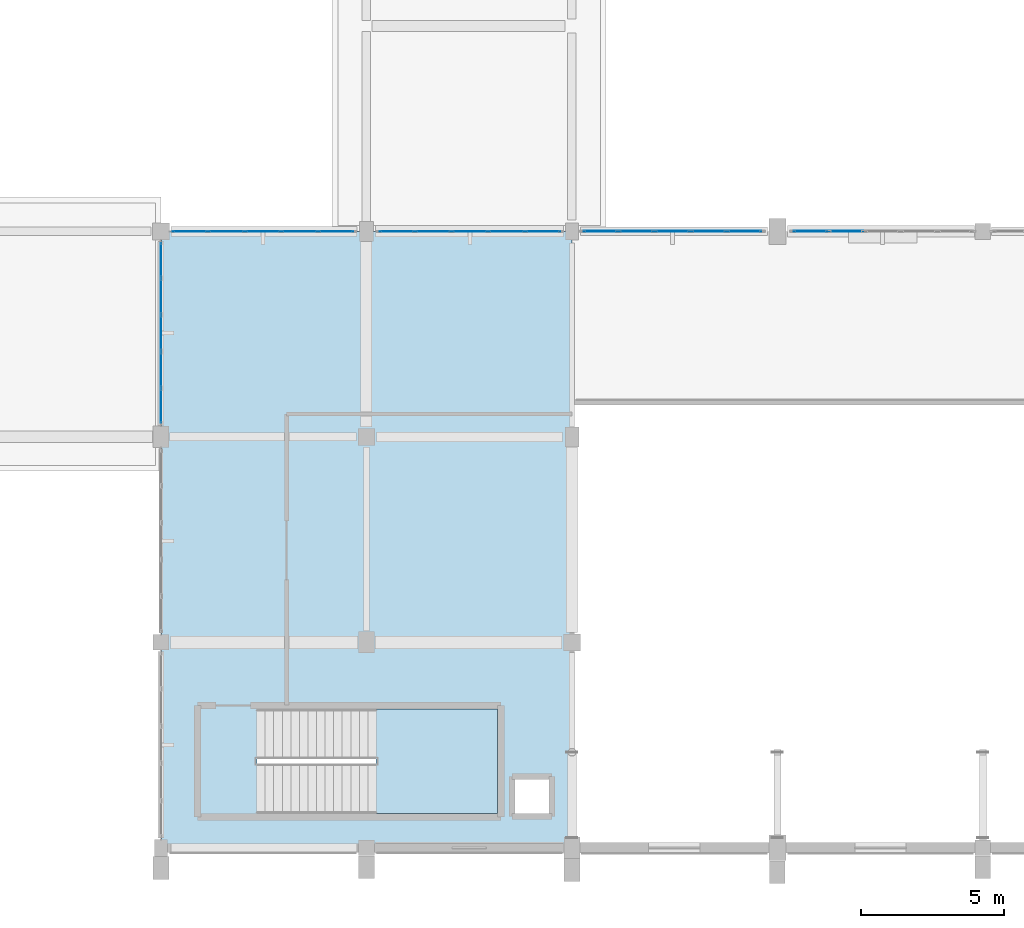
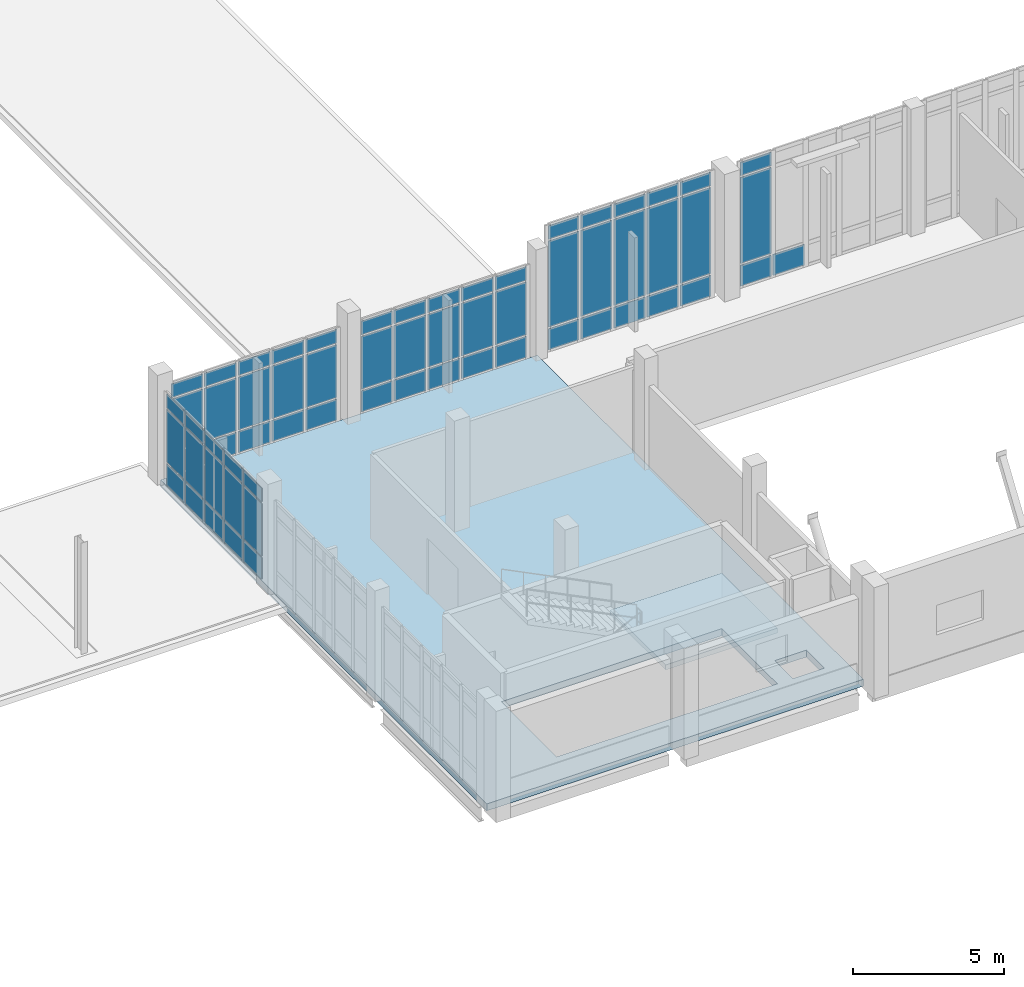
# One storey, part 99 of 134: 64 plates, 2 slabs, 6 elements without a shape of their own.
"""IFC4 building model written with IfcOpenShell, lengths in metres."""

from ifc_helpers import new_model, si_unit, direction, frame, origin, origin_2d, place, context, subcontext, project, spatial, polyline, rectangle, outline, extrude, material, layer, layer_set, type_object, element, aggregate, save


model = new_model("IFC4")

# Units and contexts
model_context = context("Model", 3, precision=1e-05, world=origin(), true_north=direction((0.0, 1.0)))
body_context = subcontext(model_context, "Body", "Model", "MODEL_VIEW")
ifc_project = project(units=[si_unit("LENGTHUNIT", "METRE"), si_unit("AREAUNIT", "SQUARE_METRE"), si_unit("VOLUMEUNIT", "CUBIC_METRE"), si_unit("PLANEANGLEUNIT", "RADIAN"), si_unit("MASSUNIT", "GRAM", prefix="KILO")], contexts=[model_context])

# Site, building, storey
site_placement = place(None, origin())
site = spatial("IfcSite", under=ifc_project, at=site_placement, CompositionType="ELEMENT")
building_placement = place(site_placement, origin())
building = spatial("IfcBuilding", under=site, at=building_placement, Name="Kalluvel Institute of Natural Sciences", CompositionType="ELEMENT")
storey_placement = place(building_placement, frame((0.0, 0.0, 5.39990234375)))
storey = spatial("IfcBuildingStorey", under=building, at=storey_placement, Name="L01", CompositionType="ELEMENT", Elevation=5.39990234375)

# Curtain wall, plates
ifc_material_1 = material(Name="Aluminium AW-6063 T6", Category="aluminium")
curtain_wall_type = type_object("IfcCurtainWallType", Name="CW-SPAV-45", PredefinedType="USERDEFINED", material=ifc_material_1)
curtain_wall_1_placement = place(storey_placement, origin())
curtain_wall_1 = element("IfcCurtainWall", 1, at=curtain_wall_1_placement, inside=storey, type_object=curtain_wall_type, Name="L01 Gothic lancet curtain wall CWA-L01-X1008-Y356", ObjectType="UNITISED LANCET FACADE", PredefinedType="USERDEFINED")
ifc_material_2 = material(Name="Solar-Control Low-E Laminated Glass", Category="glass")
ifc_layer_1 = layer(ifc_material_2, 0.028076171875)
ifc_layer_set_1 = layer_set([ifc_layer_1], Name="Solar-Control Low-E Laminated Glass")
plate_type_1 = type_object("IfcPlateType", Name="CWP-DGU-28", PredefinedType="CURTAIN_PANEL", material=ifc_layer_set_1)
plate_1_placement = place(storey_placement, frame((101.4111328125, 35.60009765625, 0.065185546875), z_axis=(0.0, 0.0, 1.0), x_axis=(1.0, 0.0, 0.0)))
plate_1 = element("IfcPlate", 2, at=plate_1_placement, type_object=plate_type_1, Name="CW-10 panel 1.1", PredefinedType="CURTAIN_PANEL", context=body_context, shape_type="SweptSolid", body=[
    extrude(rectangle(XDim=1.1923828125, YDim=0.028076171875, at=origin_2d()), origin(), (0.0, 0.0, 1.0), 0.8525390625),
])
plate_2_placement = place(storey_placement, frame((101.4111328125, 35.60009765625, 0.982421875), z_axis=(0.0, 0.0, 1.0), x_axis=(1.0, 0.0, 0.0)))
plate_2 = element("IfcPlate", 3, at=plate_2_placement, type_object=plate_type_1, Name="CW-10 panel 1.2", PredefinedType="CURTAIN_PANEL", context=body_context, shape_type="SweptSolid", body=[
    extrude(rectangle(XDim=1.1923828125, YDim=0.028076171875, at=origin_2d()), origin(), (0.0, 0.0, 1.0), 2.135009765625),
])
plate_3_placement = place(storey_placement, frame((101.4111328125, 35.60009765625, 3.1826171875), z_axis=(0.0, 0.0, 1.0), x_axis=(1.0, 0.0, 0.0)))
plate_3 = element("IfcPlate", 4, at=plate_3_placement, type_object=plate_type_1, Name="CW-10 panel 1.3", PredefinedType="CURTAIN_PANEL", context=body_context, shape_type="SweptSolid", body=[
    extrude(rectangle(XDim=1.1923828125, YDim=0.028076171875, at=origin_2d()), origin(), (0.0, 0.0, 1.0), 0.552490234375),
])
plate_4_placement = place(storey_placement, frame((102.68505859375, 35.60009765625, 0.065185546875), z_axis=(0.0, 0.0, 1.0), x_axis=(1.0, 0.0, 0.0)))
plate_4 = element("IfcPlate", 5, at=plate_4_placement, type_object=plate_type_1, Name="CW-10 panel 2.1", PredefinedType="CURTAIN_PANEL", context=body_context, shape_type="SweptSolid", body=[
    extrude(rectangle(XDim=1.22509765625, YDim=0.028076171875, at=origin_2d()), origin(), (0.0, 0.0, 1.0), 0.8525390625),
])
plate_5_placement = place(storey_placement, frame((102.68505859375, 35.60009765625, 0.982421875), z_axis=(0.0, 0.0, 1.0), x_axis=(1.0, 0.0, 0.0)))
plate_5 = element("IfcPlate", 6, at=plate_5_placement, type_object=plate_type_1, Name="CW-10 panel 2.2", PredefinedType="CURTAIN_PANEL", context=body_context, shape_type="SweptSolid", body=[
    extrude(rectangle(XDim=1.22509765625, YDim=0.028076171875, at=origin_2d()), origin(), (0.0, 0.0, 1.0), 2.135009765625),
])
plate_6_placement = place(storey_placement, frame((102.68505859375, 35.60009765625, 3.1826171875), z_axis=(0.0, 0.0, 1.0), x_axis=(1.0, 0.0, 0.0)))
plate_6 = element("IfcPlate", 7, at=plate_6_placement, type_object=plate_type_1, Name="CW-10 panel 2.3", PredefinedType="CURTAIN_PANEL", context=body_context, shape_type="SweptSolid", body=[
    extrude(rectangle(XDim=1.22509765625, YDim=0.028076171875, at=origin_2d()), origin(), (0.0, 0.0, 1.0), 0.552490234375),
])
plate_7_placement = place(storey_placement, frame((103.97509765625, 35.60009765625, 0.065185546875), z_axis=(0.0, 0.0, 1.0), x_axis=(1.0, 0.0, 0.0)))
plate_7 = element("IfcPlate", 8, at=plate_7_placement, type_object=plate_type_1, Name="CW-10 panel 3.1", PredefinedType="CURTAIN_PANEL", context=body_context, shape_type="SweptSolid", body=[
    extrude(rectangle(XDim=1.22509765625, YDim=0.028076171875, at=origin_2d()), origin(), (0.0, 0.0, 1.0), 0.8525390625),
])
plate_8_placement = place(storey_placement, frame((103.97509765625, 35.60009765625, 0.982421875), z_axis=(0.0, 0.0, 1.0), x_axis=(1.0, 0.0, 0.0)))
plate_8 = element("IfcPlate", 9, at=plate_8_placement, type_object=plate_type_1, Name="CW-10 panel 3.2", PredefinedType="CURTAIN_PANEL", context=body_context, shape_type="SweptSolid", body=[
    extrude(rectangle(XDim=1.22509765625, YDim=0.028076171875, at=origin_2d()), origin(), (0.0, 0.0, 1.0), 2.135009765625),
])
plate_9_placement = place(storey_placement, frame((103.97509765625, 35.60009765625, 3.1826171875), z_axis=(0.0, 0.0, 1.0), x_axis=(1.0, 0.0, 0.0)))
plate_9 = element("IfcPlate", 10, at=plate_9_placement, type_object=plate_type_1, Name="CW-10 panel 3.3", PredefinedType="CURTAIN_PANEL", context=body_context, shape_type="SweptSolid", body=[
    extrude(rectangle(XDim=1.22509765625, YDim=0.028076171875, at=origin_2d()), origin(), (0.0, 0.0, 1.0), 0.552490234375),
])
plate_10_placement = place(storey_placement, frame((105.264892578125, 35.60009765625, 0.065185546875), z_axis=(0.0, 0.0, 1.0), x_axis=(1.0, 0.0, 0.0)))
plate_10 = element("IfcPlate", 11, at=plate_10_placement, type_object=plate_type_1, Name="CW-10 panel 4.1", PredefinedType="CURTAIN_PANEL", context=body_context, shape_type="SweptSolid", body=[
    extrude(rectangle(XDim=1.22509765625, YDim=0.028076171875, at=origin_2d()), origin(), (0.0, 0.0, 1.0), 0.8525390625),
])
plate_11_placement = place(storey_placement, frame((105.264892578125, 35.60009765625, 0.982421875), z_axis=(0.0, 0.0, 1.0), x_axis=(1.0, 0.0, 0.0)))
plate_11 = element("IfcPlate", 12, at=plate_11_placement, type_object=plate_type_1, Name="CW-10 panel 4.2", PredefinedType="CURTAIN_PANEL", context=body_context, shape_type="SweptSolid", body=[
    extrude(rectangle(XDim=1.22509765625, YDim=0.028076171875, at=origin_2d()), origin(), (0.0, 0.0, 1.0), 2.135009765625),
])
plate_12_placement = place(storey_placement, frame((105.264892578125, 35.60009765625, 3.1826171875), z_axis=(0.0, 0.0, 1.0), x_axis=(1.0, 0.0, 0.0)))
plate_12 = element("IfcPlate", 13, at=plate_12_placement, type_object=plate_type_1, Name="CW-10 panel 4.3", PredefinedType="CURTAIN_PANEL", context=body_context, shape_type="SweptSolid", body=[
    extrude(rectangle(XDim=1.22509765625, YDim=0.028076171875, at=origin_2d()), origin(), (0.0, 0.0, 1.0), 0.552490234375),
])
plate_13_placement = place(storey_placement, frame((106.538818359375, 35.60009765625, 0.065185546875), z_axis=(0.0, 0.0, 1.0), x_axis=(1.0, 0.0, 0.0)))
plate_13 = element("IfcPlate", 14, at=plate_13_placement, type_object=plate_type_1, Name="CW-10 panel 5.1", PredefinedType="CURTAIN_PANEL", context=body_context, shape_type="SweptSolid", body=[
    extrude(rectangle(XDim=1.1923828125, YDim=0.028076171875, at=origin_2d()), origin(), (0.0, 0.0, 1.0), 0.8525390625),
])
plate_14_placement = place(storey_placement, frame((106.538818359375, 35.60009765625, 0.982421875), z_axis=(0.0, 0.0, 1.0), x_axis=(1.0, 0.0, 0.0)))
plate_14 = element("IfcPlate", 15, at=plate_14_placement, type_object=plate_type_1, Name="CW-10 panel 5.2", PredefinedType="CURTAIN_PANEL", context=body_context, shape_type="SweptSolid", body=[
    extrude(rectangle(XDim=1.1923828125, YDim=0.028076171875, at=origin_2d()), origin(), (0.0, 0.0, 1.0), 2.135009765625),
])
plate_15_placement = place(storey_placement, frame((106.538818359375, 35.60009765625, 3.1826171875), z_axis=(0.0, 0.0, 1.0), x_axis=(1.0, 0.0, 0.0)))
plate_15 = element("IfcPlate", 16, at=plate_15_placement, type_object=plate_type_1, Name="CW-10 panel 5.3", PredefinedType="CURTAIN_PANEL", context=body_context, shape_type="SweptSolid", body=[
    extrude(rectangle(XDim=1.1923828125, YDim=0.028076171875, at=origin_2d()), origin(), (0.0, 0.0, 1.0), 0.552490234375),
])
aggregate(curtain_wall_1, [plate_1, plate_2, plate_3, plate_4, plate_5, plate_6, plate_7, plate_8, plate_9, plate_10, plate_11, plate_12, plate_13, plate_14, plate_15])

curtain_wall_2_placement = place(storey_placement, origin())
curtain_wall_2 = element("IfcCurtainWall", 17, at=curtain_wall_2_placement, inside=storey, type_object=curtain_wall_type, Name="L01 Gothic lancet curtain wall CWA-L01-X1080-Y356", ObjectType="UNITISED LANCET FACADE", PredefinedType="USERDEFINED")
plate_16_placement = place(storey_placement, frame((108.6611328125, 35.60009765625, 0.065185546875), z_axis=(0.0, 0.0, 1.0), x_axis=(1.0, 0.0, 0.0)))
plate_16 = element("IfcPlate", 18, at=plate_16_placement, type_object=plate_type_1, Name="CW-10 panel 1.1", PredefinedType="CURTAIN_PANEL", context=body_context, shape_type="SweptSolid", body=[
    extrude(rectangle(XDim=1.1923828125, YDim=0.028076171875, at=origin_2d()), origin(), (0.0, 0.0, 1.0), 0.8525390625),
])
plate_17_placement = place(storey_placement, frame((108.6611328125, 35.60009765625, 0.982421875), z_axis=(0.0, 0.0, 1.0), x_axis=(1.0, 0.0, 0.0)))
plate_17 = element("IfcPlate", 19, at=plate_17_placement, type_object=plate_type_1, Name="CW-10 panel 1.2", PredefinedType="CURTAIN_PANEL", context=body_context, shape_type="SweptSolid", body=[
    extrude(rectangle(XDim=1.1923828125, YDim=0.028076171875, at=origin_2d()), origin(), (0.0, 0.0, 1.0), 2.135009765625),
])
plate_18_placement = place(storey_placement, frame((108.6611328125, 35.60009765625, 3.1826171875), z_axis=(0.0, 0.0, 1.0), x_axis=(1.0, 0.0, 0.0)))
plate_18 = element("IfcPlate", 20, at=plate_18_placement, type_object=plate_type_1, Name="CW-10 panel 1.3", PredefinedType="CURTAIN_PANEL", context=body_context, shape_type="SweptSolid", body=[
    extrude(rectangle(XDim=1.1923828125, YDim=0.028076171875, at=origin_2d()), origin(), (0.0, 0.0, 1.0), 0.552490234375),
])
plate_19_placement = place(storey_placement, frame((109.93505859375, 35.60009765625, 0.065185546875), z_axis=(0.0, 0.0, 1.0), x_axis=(1.0, 0.0, 0.0)))
plate_19 = element("IfcPlate", 21, at=plate_19_placement, type_object=plate_type_1, Name="CW-10 panel 2.1", PredefinedType="CURTAIN_PANEL", context=body_context, shape_type="SweptSolid", body=[
    extrude(rectangle(XDim=1.22509765625, YDim=0.028076171875, at=origin_2d()), origin(), (0.0, 0.0, 1.0), 0.8525390625),
])
plate_20_placement = place(storey_placement, frame((109.93505859375, 35.60009765625, 0.982421875), z_axis=(0.0, 0.0, 1.0), x_axis=(1.0, 0.0, 0.0)))
plate_20 = element("IfcPlate", 22, at=plate_20_placement, type_object=plate_type_1, Name="CW-10 panel 2.2", PredefinedType="CURTAIN_PANEL", context=body_context, shape_type="SweptSolid", body=[
    extrude(rectangle(XDim=1.22509765625, YDim=0.028076171875, at=origin_2d()), origin(), (0.0, 0.0, 1.0), 2.135009765625),
])
plate_21_placement = place(storey_placement, frame((109.93505859375, 35.60009765625, 3.1826171875), z_axis=(0.0, 0.0, 1.0), x_axis=(1.0, 0.0, 0.0)))
plate_21 = element("IfcPlate", 23, at=plate_21_placement, type_object=plate_type_1, Name="CW-10 panel 2.3", PredefinedType="CURTAIN_PANEL", context=body_context, shape_type="SweptSolid", body=[
    extrude(rectangle(XDim=1.22509765625, YDim=0.028076171875, at=origin_2d()), origin(), (0.0, 0.0, 1.0), 0.552490234375),
])
plate_22_placement = place(storey_placement, frame((111.22509765625, 35.60009765625, 0.065185546875), z_axis=(0.0, 0.0, 1.0), x_axis=(1.0, 0.0, 0.0)))
plate_22 = element("IfcPlate", 24, at=plate_22_placement, type_object=plate_type_1, Name="CW-10 panel 3.1", PredefinedType="CURTAIN_PANEL", context=body_context, shape_type="SweptSolid", body=[
    extrude(rectangle(XDim=1.22509765625, YDim=0.028076171875, at=origin_2d()), origin(), (0.0, 0.0, 1.0), 0.8525390625),
])
plate_23_placement = place(storey_placement, frame((111.22509765625, 35.60009765625, 0.982421875), z_axis=(0.0, 0.0, 1.0), x_axis=(1.0, 0.0, 0.0)))
plate_23 = element("IfcPlate", 25, at=plate_23_placement, type_object=plate_type_1, Name="CW-10 panel 3.2", PredefinedType="CURTAIN_PANEL", context=body_context, shape_type="SweptSolid", body=[
    extrude(rectangle(XDim=1.22509765625, YDim=0.028076171875, at=origin_2d()), origin(), (0.0, 0.0, 1.0), 2.135009765625),
])
plate_24_placement = place(storey_placement, frame((111.22509765625, 35.60009765625, 3.1826171875), z_axis=(0.0, 0.0, 1.0), x_axis=(1.0, 0.0, 0.0)))
plate_24 = element("IfcPlate", 26, at=plate_24_placement, type_object=plate_type_1, Name="CW-10 panel 3.3", PredefinedType="CURTAIN_PANEL", context=body_context, shape_type="SweptSolid", body=[
    extrude(rectangle(XDim=1.22509765625, YDim=0.028076171875, at=origin_2d()), origin(), (0.0, 0.0, 1.0), 0.552490234375),
])
plate_25_placement = place(storey_placement, frame((112.514892578125, 35.60009765625, 0.065185546875), z_axis=(0.0, 0.0, 1.0), x_axis=(1.0, 0.0, 0.0)))
plate_25 = element("IfcPlate", 27, at=plate_25_placement, type_object=plate_type_1, Name="CW-10 panel 4.1", PredefinedType="CURTAIN_PANEL", context=body_context, shape_type="SweptSolid", body=[
    extrude(rectangle(XDim=1.22509765625, YDim=0.028076171875, at=origin_2d()), origin(), (0.0, 0.0, 1.0), 0.8525390625),
])
plate_26_placement = place(storey_placement, frame((112.514892578125, 35.60009765625, 0.982421875), z_axis=(0.0, 0.0, 1.0), x_axis=(1.0, 0.0, 0.0)))
plate_26 = element("IfcPlate", 28, at=plate_26_placement, type_object=plate_type_1, Name="CW-10 panel 4.2", PredefinedType="CURTAIN_PANEL", context=body_context, shape_type="SweptSolid", body=[
    extrude(rectangle(XDim=1.22509765625, YDim=0.028076171875, at=origin_2d()), origin(), (0.0, 0.0, 1.0), 2.135009765625),
])
plate_27_placement = place(storey_placement, frame((112.514892578125, 35.60009765625, 3.1826171875), z_axis=(0.0, 0.0, 1.0), x_axis=(1.0, 0.0, 0.0)))
plate_27 = element("IfcPlate", 29, at=plate_27_placement, type_object=plate_type_1, Name="CW-10 panel 4.3", PredefinedType="CURTAIN_PANEL", context=body_context, shape_type="SweptSolid", body=[
    extrude(rectangle(XDim=1.22509765625, YDim=0.028076171875, at=origin_2d()), origin(), (0.0, 0.0, 1.0), 0.552490234375),
])
plate_28_placement = place(storey_placement, frame((113.788818359375, 35.60009765625, 0.065185546875), z_axis=(0.0, 0.0, 1.0), x_axis=(1.0, 0.0, 0.0)))
plate_28 = element("IfcPlate", 30, at=plate_28_placement, type_object=plate_type_1, Name="CW-10 panel 5.1", PredefinedType="CURTAIN_PANEL", context=body_context, shape_type="SweptSolid", body=[
    extrude(rectangle(XDim=1.1923828125, YDim=0.028076171875, at=origin_2d()), origin(), (0.0, 0.0, 1.0), 0.8525390625),
])
plate_29_placement = place(storey_placement, frame((113.788818359375, 35.60009765625, 0.982421875), z_axis=(0.0, 0.0, 1.0), x_axis=(1.0, 0.0, 0.0)))
plate_29 = element("IfcPlate", 31, at=plate_29_placement, type_object=plate_type_1, Name="CW-10 panel 5.2", PredefinedType="CURTAIN_PANEL", context=body_context, shape_type="SweptSolid", body=[
    extrude(rectangle(XDim=1.1923828125, YDim=0.028076171875, at=origin_2d()), origin(), (0.0, 0.0, 1.0), 2.135009765625),
])
plate_30_placement = place(storey_placement, frame((113.788818359375, 35.60009765625, 3.1826171875), z_axis=(0.0, 0.0, 1.0), x_axis=(1.0, 0.0, 0.0)))
plate_30 = element("IfcPlate", 32, at=plate_30_placement, type_object=plate_type_1, Name="CW-10 panel 5.3", PredefinedType="CURTAIN_PANEL", context=body_context, shape_type="SweptSolid", body=[
    extrude(rectangle(XDim=1.1923828125, YDim=0.028076171875, at=origin_2d()), origin(), (0.0, 0.0, 1.0), 0.552490234375),
])
aggregate(curtain_wall_2, [plate_16, plate_17, plate_18, plate_19, plate_20, plate_21, plate_22, plate_23, plate_24, plate_25, plate_26, plate_27, plate_28, plate_29, plate_30])

curtain_wall_3_placement = place(storey_placement, origin())
curtain_wall_3 = element("IfcCurtainWall", 33, at=curtain_wall_3_placement, inside=storey, type_object=curtain_wall_type, Name="L01 Gothic lancet curtain wall CWA-L01-X1004-Y288", ObjectType="UNITISED LANCET FACADE", PredefinedType="USERDEFINED")
plate_31_placement = place(storey_placement, frame((100.39990234375, 29.483642578125, 0.065185546875), z_axis=(0.0, 0.0, 1.0), x_axis=(0.0, 1.0, 0.0)))
plate_31 = element("IfcPlate", 34, at=plate_31_placement, type_object=plate_type_1, Name="CW-10 panel 1.1", PredefinedType="CURTAIN_PANEL", context=body_context, shape_type="SweptSolid", body=[
    extrude(rectangle(XDim=1.1875, YDim=0.028076171875, at=origin_2d()), origin(), (0.0, 0.0, 1.0), 0.8525390625),
])
plate_32_placement = place(storey_placement, frame((100.39990234375, 29.483642578125, 0.982421875), z_axis=(0.0, 0.0, 1.0), x_axis=(0.0, 1.0, 0.0)))
plate_32 = element("IfcPlate", 35, at=plate_32_placement, type_object=plate_type_1, Name="CW-10 panel 1.2", PredefinedType="CURTAIN_PANEL", context=body_context, shape_type="SweptSolid", body=[
    extrude(rectangle(XDim=1.1875, YDim=0.028076171875, at=origin_2d()), origin(), (0.0, 0.0, 1.0), 2.135009765625),
])
plate_33_placement = place(storey_placement, frame((100.39990234375, 29.483642578125, 3.1826171875), z_axis=(0.0, 0.0, 1.0), x_axis=(0.0, 1.0, 0.0)))
plate_33 = element("IfcPlate", 36, at=plate_33_placement, type_object=plate_type_1, Name="CW-10 panel 1.3", PredefinedType="CURTAIN_PANEL", context=body_context, shape_type="SweptSolid", body=[
    extrude(rectangle(XDim=1.1875, YDim=0.028076171875, at=origin_2d()), origin(), (0.0, 0.0, 1.0), 0.552490234375),
])
plate_34_placement = place(storey_placement, frame((100.39990234375, 30.75244140625, 0.065185546875), z_axis=(0.0, 0.0, 1.0), x_axis=(0.0, 1.0, 0.0)))
plate_34 = element("IfcPlate", 37, at=plate_34_placement, type_object=plate_type_1, Name="CW-10 panel 2.1", PredefinedType="CURTAIN_PANEL", context=body_context, shape_type="SweptSolid", body=[
    extrude(rectangle(XDim=1.219970703125, YDim=0.028076171875, at=origin_2d()), origin(), (0.0, 0.0, 1.0), 0.8525390625),
])
plate_35_placement = place(storey_placement, frame((100.39990234375, 30.75244140625, 0.982421875), z_axis=(0.0, 0.0, 1.0), x_axis=(0.0, 1.0, 0.0)))
plate_35 = element("IfcPlate", 38, at=plate_35_placement, type_object=plate_type_1, Name="CW-10 panel 2.2", PredefinedType="CURTAIN_PANEL", context=body_context, shape_type="SweptSolid", body=[
    extrude(rectangle(XDim=1.219970703125, YDim=0.028076171875, at=origin_2d()), origin(), (0.0, 0.0, 1.0), 2.135009765625),
])
plate_36_placement = place(storey_placement, frame((100.39990234375, 30.75244140625, 3.1826171875), z_axis=(0.0, 0.0, 1.0), x_axis=(0.0, 1.0, 0.0)))
plate_36 = element("IfcPlate", 39, at=plate_36_placement, type_object=plate_type_1, Name="CW-10 panel 2.3", PredefinedType="CURTAIN_PANEL", context=body_context, shape_type="SweptSolid", body=[
    extrude(rectangle(XDim=1.219970703125, YDim=0.028076171875, at=origin_2d()), origin(), (0.0, 0.0, 1.0), 0.552490234375),
])
plate_37_placement = place(storey_placement, frame((100.39990234375, 32.03759765625, 0.065185546875), z_axis=(0.0, 0.0, 1.0), x_axis=(0.0, 1.0, 0.0)))
plate_37 = element("IfcPlate", 40, at=plate_37_placement, type_object=plate_type_1, Name="CW-10 panel 3.1", PredefinedType="CURTAIN_PANEL", context=body_context, shape_type="SweptSolid", body=[
    extrude(rectangle(XDim=1.219970703125, YDim=0.028076171875, at=origin_2d()), origin(), (0.0, 0.0, 1.0), 0.8525390625),
])
plate_38_placement = place(storey_placement, frame((100.39990234375, 32.03759765625, 0.982421875), z_axis=(0.0, 0.0, 1.0), x_axis=(0.0, 1.0, 0.0)))
plate_38 = element("IfcPlate", 41, at=plate_38_placement, type_object=plate_type_1, Name="CW-10 panel 3.2", PredefinedType="CURTAIN_PANEL", context=body_context, shape_type="SweptSolid", body=[
    extrude(rectangle(XDim=1.219970703125, YDim=0.028076171875, at=origin_2d()), origin(), (0.0, 0.0, 1.0), 2.135009765625),
])
plate_39_placement = place(storey_placement, frame((100.39990234375, 32.03759765625, 3.1826171875), z_axis=(0.0, 0.0, 1.0), x_axis=(0.0, 1.0, 0.0)))
plate_39 = element("IfcPlate", 42, at=plate_39_placement, type_object=plate_type_1, Name="CW-10 panel 3.3", PredefinedType="CURTAIN_PANEL", context=body_context, shape_type="SweptSolid", body=[
    extrude(rectangle(XDim=1.219970703125, YDim=0.028076171875, at=origin_2d()), origin(), (0.0, 0.0, 1.0), 0.552490234375),
])
plate_40_placement = place(storey_placement, frame((100.39990234375, 33.322509765625, 0.065185546875), z_axis=(0.0, 0.0, 1.0), x_axis=(0.0, 1.0, 0.0)))
plate_40 = element("IfcPlate", 43, at=plate_40_placement, type_object=plate_type_1, Name="CW-10 panel 4.1", PredefinedType="CURTAIN_PANEL", context=body_context, shape_type="SweptSolid", body=[
    extrude(rectangle(XDim=1.219970703125, YDim=0.028076171875, at=origin_2d()), origin(), (0.0, 0.0, 1.0), 0.8525390625),
])
plate_41_placement = place(storey_placement, frame((100.39990234375, 33.322509765625, 0.982421875), z_axis=(0.0, 0.0, 1.0), x_axis=(0.0, 1.0, 0.0)))
plate_41 = element("IfcPlate", 44, at=plate_41_placement, type_object=plate_type_1, Name="CW-10 panel 4.2", PredefinedType="CURTAIN_PANEL", context=body_context, shape_type="SweptSolid", body=[
    extrude(rectangle(XDim=1.219970703125, YDim=0.028076171875, at=origin_2d()), origin(), (0.0, 0.0, 1.0), 2.135009765625),
])
plate_42_placement = place(storey_placement, frame((100.39990234375, 33.322509765625, 3.1826171875), z_axis=(0.0, 0.0, 1.0), x_axis=(0.0, 1.0, 0.0)))
plate_42 = element("IfcPlate", 45, at=plate_42_placement, type_object=plate_type_1, Name="CW-10 panel 4.3", PredefinedType="CURTAIN_PANEL", context=body_context, shape_type="SweptSolid", body=[
    extrude(rectangle(XDim=1.219970703125, YDim=0.028076171875, at=origin_2d()), origin(), (0.0, 0.0, 1.0), 0.552490234375),
])
plate_43_placement = place(storey_placement, frame((100.39990234375, 34.59130859375, 0.065185546875), z_axis=(0.0, 0.0, 1.0), x_axis=(0.0, 1.0, 0.0)))
plate_43 = element("IfcPlate", 46, at=plate_43_placement, type_object=plate_type_1, Name="CW-10 panel 5.1", PredefinedType="CURTAIN_PANEL", context=body_context, shape_type="SweptSolid", body=[
    extrude(rectangle(XDim=1.1875, YDim=0.028076171875, at=origin_2d()), origin(), (0.0, 0.0, 1.0), 0.8525390625),
])
plate_44_placement = place(storey_placement, frame((100.39990234375, 34.59130859375, 0.982421875), z_axis=(0.0, 0.0, 1.0), x_axis=(0.0, 1.0, 0.0)))
plate_44 = element("IfcPlate", 47, at=plate_44_placement, type_object=plate_type_1, Name="CW-10 panel 5.2", PredefinedType="CURTAIN_PANEL", context=body_context, shape_type="SweptSolid", body=[
    extrude(rectangle(XDim=1.1875, YDim=0.028076171875, at=origin_2d()), origin(), (0.0, 0.0, 1.0), 2.135009765625),
])
plate_45_placement = place(storey_placement, frame((100.39990234375, 34.59130859375, 3.1826171875), z_axis=(0.0, 0.0, 1.0), x_axis=(0.0, 1.0, 0.0)))
plate_45 = element("IfcPlate", 48, at=plate_45_placement, type_object=plate_type_1, Name="CW-10 panel 5.3", PredefinedType="CURTAIN_PANEL", context=body_context, shape_type="SweptSolid", body=[
    extrude(rectangle(XDim=1.1875, YDim=0.028076171875, at=origin_2d()), origin(), (0.0, 0.0, 1.0), 0.552490234375),
])
aggregate(curtain_wall_3, [plate_31, plate_32, plate_33, plate_34, plate_35, plate_36, plate_37, plate_38, plate_39, plate_40, plate_41, plate_42, plate_43, plate_44, plate_45])

curtain_wall_4_placement = place(storey_placement, origin())
curtain_wall_4 = element("IfcCurtainWall", 49, at=curtain_wall_4_placement, inside=storey, type_object=curtain_wall_type, Name="L01 Gothic lancet curtain wall CWA-L01-X1152-Y356", ObjectType="UNITISED LANCET FACADE", PredefinedType="USERDEFINED")
ifc_layer_2 = layer(ifc_material_2, 0.031982421875)
ifc_layer_set_2 = layer_set([ifc_layer_2], Name="Solar-Control Low-E Laminated Glass")
plate_type_2 = type_object("IfcPlateType", Name="CWP-DGU-32", PredefinedType="CURTAIN_PANEL", material=ifc_layer_set_2)
plate_46_placement = place(storey_placement, frame((115.802490234375, 35.60009765625, 0.0703125), z_axis=(0.0, 0.0, 1.0), x_axis=(1.0, 0.0, 0.0)))
plate_46 = element("IfcPlate", 50, at=plate_46_placement, type_object=plate_type_2, Name="CW-10 panel 1.1", PredefinedType="CURTAIN_PANEL", context=body_context, shape_type="SweptSolid", body=[
    extrude(rectangle(XDim=1.1650390625, YDim=0.031982421875, at=origin_2d()), origin(), (0.0, 0.0, 1.0), 0.844970703125),
])
plate_47_placement = place(storey_placement, frame((115.802490234375, 35.60009765625, 0.985107421875), z_axis=(0.0, 0.0, 1.0), x_axis=(1.0, 0.0, 0.0)))
plate_47 = element("IfcPlate", 51, at=plate_47_placement, type_object=plate_type_2, Name="CW-10 panel 1.2", PredefinedType="CURTAIN_PANEL", context=body_context, shape_type="SweptSolid", body=[
    extrude(rectangle(XDim=1.1650390625, YDim=0.031982421875, at=origin_2d()), origin(), (0.0, 0.0, 1.0), 3.47998046875),
])
plate_48_placement = place(storey_placement, frame((115.802490234375, 35.60009765625, 4.53515625), z_axis=(0.0, 0.0, 1.0), x_axis=(1.0, 0.0, 0.0)))
plate_48 = element("IfcPlate", 52, at=plate_48_placement, type_object=plate_type_2, Name="CW-10 panel 1.3", PredefinedType="CURTAIN_PANEL", context=body_context, shape_type="SweptSolid", body=[
    extrude(rectangle(XDim=1.1650390625, YDim=0.031982421875, at=origin_2d()), origin(), (0.0, 0.0, 1.0), 0.544921875),
])
plate_49_placement = place(storey_placement, frame((117.054931640625, 35.60009765625, 0.0703125), z_axis=(0.0, 0.0, 1.0), x_axis=(1.0, 0.0, 0.0)))
plate_49 = element("IfcPlate", 53, at=plate_49_placement, type_object=plate_type_2, Name="CW-10 panel 2.1", PredefinedType="CURTAIN_PANEL", context=body_context, shape_type="SweptSolid", body=[
    extrude(rectangle(XDim=1.199951171875, YDim=0.031982421875, at=origin_2d()), origin(), (0.0, 0.0, 1.0), 0.844970703125),
])
plate_50_placement = place(storey_placement, frame((117.054931640625, 35.60009765625, 0.985107421875), z_axis=(0.0, 0.0, 1.0), x_axis=(1.0, 0.0, 0.0)))
plate_50 = element("IfcPlate", 54, at=plate_50_placement, type_object=plate_type_2, Name="CW-10 panel 2.2", PredefinedType="CURTAIN_PANEL", context=body_context, shape_type="SweptSolid", body=[
    extrude(rectangle(XDim=1.199951171875, YDim=0.031982421875, at=origin_2d()), origin(), (0.0, 0.0, 1.0), 3.47998046875),
])
plate_51_placement = place(storey_placement, frame((117.054931640625, 35.60009765625, 4.53515625), z_axis=(0.0, 0.0, 1.0), x_axis=(1.0, 0.0, 0.0)))
plate_51 = element("IfcPlate", 55, at=plate_51_placement, type_object=plate_type_2, Name="CW-10 panel 2.3", PredefinedType="CURTAIN_PANEL", context=body_context, shape_type="SweptSolid", body=[
    extrude(rectangle(XDim=1.199951171875, YDim=0.031982421875, at=origin_2d()), origin(), (0.0, 0.0, 1.0), 0.544921875),
])
plate_52_placement = place(storey_placement, frame((118.324951171875, 35.60009765625, 0.0703125), z_axis=(0.0, 0.0, 1.0), x_axis=(1.0, 0.0, 0.0)))
plate_52 = element("IfcPlate", 56, at=plate_52_placement, type_object=plate_type_2, Name="CW-10 panel 3.1", PredefinedType="CURTAIN_PANEL", context=body_context, shape_type="SweptSolid", body=[
    extrude(rectangle(XDim=1.199951171875, YDim=0.031982421875, at=origin_2d()), origin(), (0.0, 0.0, 1.0), 0.844970703125),
])
plate_53_placement = place(storey_placement, frame((118.324951171875, 35.60009765625, 0.985107421875), z_axis=(0.0, 0.0, 1.0), x_axis=(1.0, 0.0, 0.0)))
plate_53 = element("IfcPlate", 57, at=plate_53_placement, type_object=plate_type_2, Name="CW-10 panel 3.2", PredefinedType="CURTAIN_PANEL", context=body_context, shape_type="SweptSolid", body=[
    extrude(rectangle(XDim=1.199951171875, YDim=0.031982421875, at=origin_2d()), origin(), (0.0, 0.0, 1.0), 3.47998046875),
])
plate_54_placement = place(storey_placement, frame((118.324951171875, 35.60009765625, 4.53515625), z_axis=(0.0, 0.0, 1.0), x_axis=(1.0, 0.0, 0.0)))
plate_54 = element("IfcPlate", 58, at=plate_54_placement, type_object=plate_type_2, Name="CW-10 panel 3.3", PredefinedType="CURTAIN_PANEL", context=body_context, shape_type="SweptSolid", body=[
    extrude(rectangle(XDim=1.199951171875, YDim=0.031982421875, at=origin_2d()), origin(), (0.0, 0.0, 1.0), 0.544921875),
])
plate_55_placement = place(storey_placement, frame((119.594970703125, 35.60009765625, 0.0703125), z_axis=(0.0, 0.0, 1.0), x_axis=(1.0, 0.0, 0.0)))
plate_55 = element("IfcPlate", 59, at=plate_55_placement, type_object=plate_type_2, Name="CW-10 panel 4.1", PredefinedType="CURTAIN_PANEL", context=body_context, shape_type="SweptSolid", body=[
    extrude(rectangle(XDim=1.199951171875, YDim=0.031982421875, at=origin_2d()), origin(), (0.0, 0.0, 1.0), 0.844970703125),
])
plate_56_placement = place(storey_placement, frame((119.594970703125, 35.60009765625, 0.985107421875), z_axis=(0.0, 0.0, 1.0), x_axis=(1.0, 0.0, 0.0)))
plate_56 = element("IfcPlate", 60, at=plate_56_placement, type_object=plate_type_2, Name="CW-10 panel 4.2", PredefinedType="CURTAIN_PANEL", context=body_context, shape_type="SweptSolid", body=[
    extrude(rectangle(XDim=1.199951171875, YDim=0.031982421875, at=origin_2d()), origin(), (0.0, 0.0, 1.0), 3.47998046875),
])
plate_57_placement = place(storey_placement, frame((119.594970703125, 35.60009765625, 4.53515625), z_axis=(0.0, 0.0, 1.0), x_axis=(1.0, 0.0, 0.0)))
plate_57 = element("IfcPlate", 61, at=plate_57_placement, type_object=plate_type_2, Name="CW-10 panel 4.3", PredefinedType="CURTAIN_PANEL", context=body_context, shape_type="SweptSolid", body=[
    extrude(rectangle(XDim=1.199951171875, YDim=0.031982421875, at=origin_2d()), origin(), (0.0, 0.0, 1.0), 0.544921875),
])
plate_58_placement = place(storey_placement, frame((120.847412109375, 35.60009765625, 0.0703125), z_axis=(0.0, 0.0, 1.0), x_axis=(1.0, 0.0, 0.0)))
plate_58 = element("IfcPlate", 62, at=plate_58_placement, type_object=plate_type_2, Name="CW-10 panel 5.1", PredefinedType="CURTAIN_PANEL", context=body_context, shape_type="SweptSolid", body=[
    extrude(rectangle(XDim=1.1650390625, YDim=0.031982421875, at=origin_2d()), origin(), (0.0, 0.0, 1.0), 0.844970703125),
])
plate_59_placement = place(storey_placement, frame((120.847412109375, 35.60009765625, 0.985107421875), z_axis=(0.0, 0.0, 1.0), x_axis=(1.0, 0.0, 0.0)))
plate_59 = element("IfcPlate", 63, at=plate_59_placement, type_object=plate_type_2, Name="CW-10 panel 5.2", PredefinedType="CURTAIN_PANEL", context=body_context, shape_type="SweptSolid", body=[
    extrude(rectangle(XDim=1.1650390625, YDim=0.031982421875, at=origin_2d()), origin(), (0.0, 0.0, 1.0), 3.47998046875),
])
plate_60_placement = place(storey_placement, frame((120.847412109375, 35.60009765625, 4.53515625), z_axis=(0.0, 0.0, 1.0), x_axis=(1.0, 0.0, 0.0)))
plate_60 = element("IfcPlate", 64, at=plate_60_placement, type_object=plate_type_2, Name="CW-10 panel 5.3", PredefinedType="CURTAIN_PANEL", context=body_context, shape_type="SweptSolid", body=[
    extrude(rectangle(XDim=1.1650390625, YDim=0.031982421875, at=origin_2d()), origin(), (0.0, 0.0, 1.0), 0.544921875),
])
aggregate(curtain_wall_4, [plate_46, plate_47, plate_48, plate_49, plate_50, plate_51, plate_52, plate_53, plate_54, plate_55, plate_56, plate_57, plate_58, plate_59, plate_60])

curtain_wall_5_placement = place(storey_placement, origin())
curtain_wall_5 = element("IfcCurtainWall", 65, at=curtain_wall_5_placement, inside=storey, type_object=curtain_wall_type, Name="L01 Gothic lancet curtain wall CWA-L01-X1225-Y356", ObjectType="UNITISED LANCET FACADE", PredefinedType="USERDEFINED")
plate_61_placement = place(storey_placement, frame((123.155029296875, 35.60009765625, 0.0703125), z_axis=(0.0, 0.0, 1.0), x_axis=(1.0, 0.0, 0.0)))
plate_61 = element("IfcPlate", 66, at=plate_61_placement, type_object=plate_type_2, Name="CW-10 panel 1.1", PredefinedType="CURTAIN_PANEL", context=body_context, shape_type="SweptSolid", body=[
    extrude(rectangle(XDim=1.169921875, YDim=0.031982421875, at=origin_2d()), origin(), (0.0, 0.0, 1.0), 0.844970703125),
])
plate_62_placement = place(storey_placement, frame((123.155029296875, 35.60009765625, 0.985107421875), z_axis=(0.0, 0.0, 1.0), x_axis=(1.0, 0.0, 0.0)))
plate_62 = element("IfcPlate", 67, at=plate_62_placement, type_object=plate_type_2, Name="CW-10 panel 1.2", PredefinedType="CURTAIN_PANEL", context=body_context, shape_type="SweptSolid", body=[
    extrude(rectangle(XDim=1.169921875, YDim=0.031982421875, at=origin_2d()), origin(), (0.0, 0.0, 1.0), 3.47998046875),
])
plate_63_placement = place(storey_placement, frame((123.155029296875, 35.60009765625, 4.53515625), z_axis=(0.0, 0.0, 1.0), x_axis=(1.0, 0.0, 0.0)))
plate_63 = element("IfcPlate", 68, at=plate_63_placement, type_object=plate_type_2, Name="CW-10 panel 1.3", PredefinedType="CURTAIN_PANEL", context=body_context, shape_type="SweptSolid", body=[
    extrude(rectangle(XDim=1.169921875, YDim=0.031982421875, at=origin_2d()), origin(), (0.0, 0.0, 1.0), 0.544921875),
])
plate_64_placement = place(storey_placement, frame((124.41259765625, 35.60009765625, 0.0703125), z_axis=(0.0, 0.0, 1.0), x_axis=(1.0, 0.0, 0.0)))
plate_64 = element("IfcPlate", 69, at=plate_64_placement, type_object=plate_type_2, Name="CW-10 panel 2.1", PredefinedType="CURTAIN_PANEL", context=body_context, shape_type="SweptSolid", body=[
    extrude(rectangle(XDim=1.205078125, YDim=0.031982421875, at=origin_2d()), origin(), (0.0, 0.0, 1.0), 0.844970703125),
])
aggregate(curtain_wall_5, [plate_61, plate_62, plate_63, plate_64])

# Slab
ifc_material_3 = material(Name="Concrete M40", Category="concrete")
ifc_layer_3 = layer(ifc_material_3, 0.280029296875)
ifc_layer_set_3 = layer_set([ifc_layer_3], Name="Concrete M40")
slab_type_1 = type_object("IfcSlabType", Name="SLB-ATR-280", PredefinedType="FLOOR", material=ifc_layer_set_3)
slab_1_placement = place(storey_placement, frame((0.0, 0.0, -0.27978515625)))
element("IfcSlab", 70, at=slab_1_placement, inside=storey, type_object=slab_type_1, Name="L01 East Research Commons and Lecture Hub Slab", PredefinedType="FLOOR", context=body_context, shape_type="SweptSolid", body=[
    extrude(outline(polyline([(100.39990234375, 14.0), (114.800048828125, 14.0), (114.800048828125, 35.60009765625), (100.39990234375, 35.60009765625), (100.39990234375, 14.0)]), holes=[polyline([(112.800048828125, 16.39990234375), (114.0, 16.39990234375), (114.0, 15.199951171875), (112.800048828125, 15.199951171875), (112.800048828125, 16.39990234375)]), polyline([(103.76806640625, 18.8701171875), (112.199951171875, 18.8701171875), (112.199951171875, 15.199951171875), (103.76806640625, 15.199951171875), (103.76806640625, 18.8701171875)])]), origin(), (0.0, 0.0, 1.0), 0.27978515625),
])

# Stair, slab
stair_type = type_object("IfcStairType", Name="STR-ST5-45", PredefinedType="HALF_TURN_STAIR", material=ifc_material_3)
stair_placement = place(storey_placement, origin())
stair = element("IfcStair", 71, at=stair_placement, inside=storey, type_object=stair_type, Name="L01 East Commons and Lecture Hub Protected Exit Stair ST7", PredefinedType="HALF_TURN_STAIR")
ifc_layer_4 = layer(ifc_material_3, 0.199951171875)
ifc_layer_set_4 = layer_set([ifc_layer_4], Name="Concrete M40")
slab_type_2 = type_object("IfcSlabType", Name="SLD-ST5", PredefinedType="LANDING", material=ifc_layer_set_4)
slab_2_placement = place(storey_placement, frame((0.0, 0.0, 2.050048828125)))
slab_2 = element("IfcSlab", 72, at=slab_2_placement, type_object=slab_type_2, Name="S5-45 landing 1", PredefinedType="LANDING", context=body_context, shape_type="SweptSolid", body=[
    extrude(outline(polyline([(107.931884765625, 15.199951171875), (112.199951171875, 15.199951171875), (112.199951171875, 18.8701171875), (107.931884765625, 18.8701171875), (107.931884765625, 15.199951171875)])), origin(), (0.0, 0.0, 1.0), 0.199951171875),
])
aggregate(stair, [slab_2])

save(model, "model.ifc")
